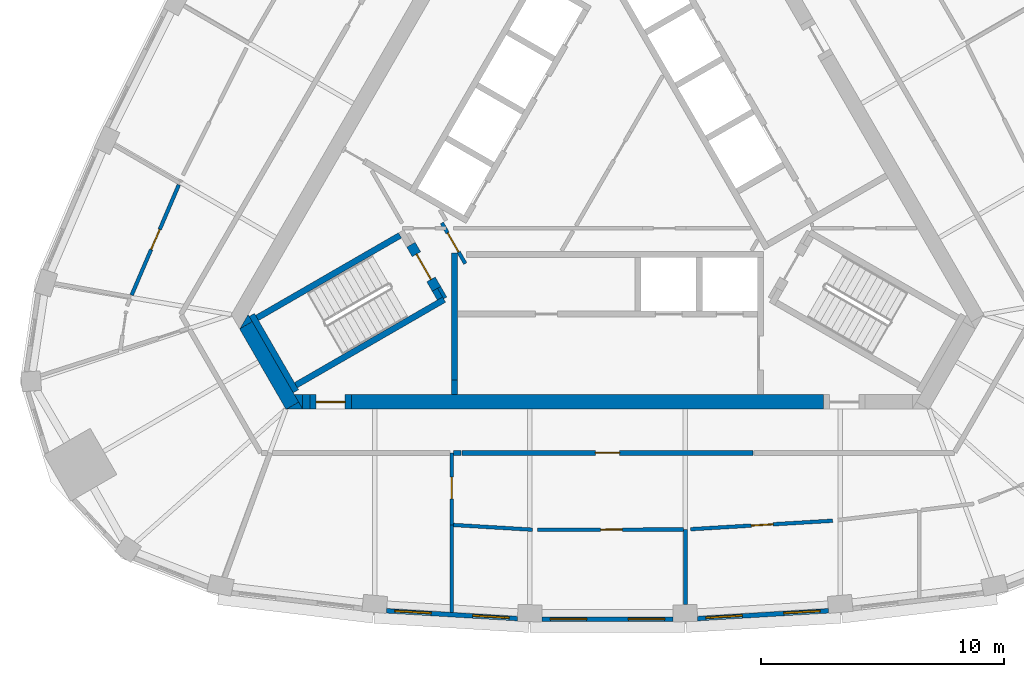
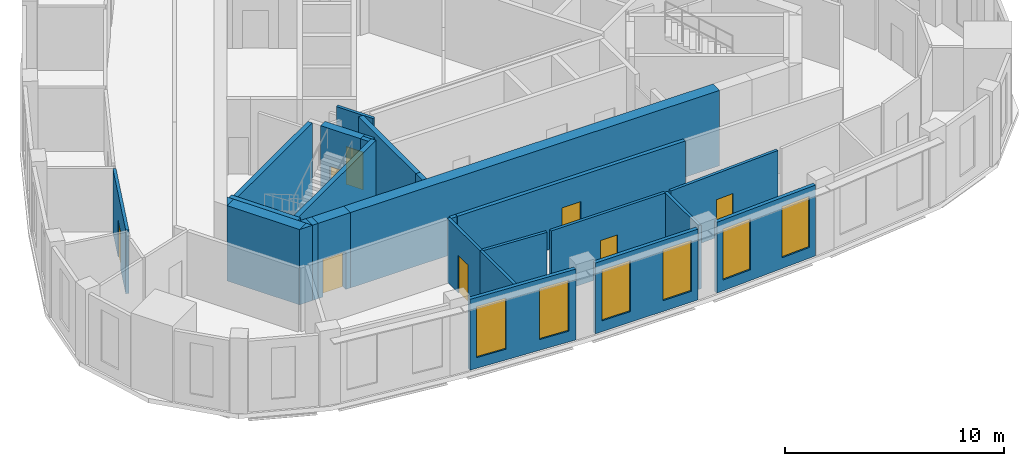
# One storey, part 3 of 10: 28 walls, 8 doors, 6 windows, 14 openings.
"""IFC4 building model written with IfcOpenShell, lengths in metres."""

from ifc_helpers import new_model, si_unit, direction, frame, frame_2d, origin, place, context, subcontext, project, spatial, polyline, rectangle, outline, extrude, material, layer, layer_set, type_object, element, fill, save


model = new_model("IFC4")

# Units and contexts
model_context = context("Model", 3, precision=1e-05, world=origin(), true_north=direction((0.0, 1.0)))
body_context = subcontext(model_context, "Body", "Model", "MODEL_VIEW")
ifc_project = project(units=[si_unit("LENGTHUNIT", "METRE"), si_unit("AREAUNIT", "SQUARE_METRE"), si_unit("VOLUMEUNIT", "CUBIC_METRE"), si_unit("PLANEANGLEUNIT", "RADIAN"), si_unit("MASSUNIT", "GRAM", prefix="KILO")], contexts=[model_context])

# Site, building, storey
site_placement = place(None, origin())
site = spatial("IfcSite", under=ifc_project, at=site_placement, CompositionType="ELEMENT")
building_placement = place(site_placement, origin())
building = spatial("IfcBuilding", under=site, at=building_placement, Name="Mestral Congress Tower", CompositionType="ELEMENT")
storey_placement = place(building_placement, frame((0.0, 0.0, 283.800048828125)))
storey = spatial("IfcBuildingStorey", under=building, at=storey_placement, Name="L66", CompositionType="ELEMENT", Elevation=283.800048828125)

# Walls
ifc_material_1 = material(Name="Concrete C60/75", Category="concrete")
ifc_layer_1 = layer(ifc_material_1, 0.60009765625)
ifc_layer_set_1 = layer_set([ifc_layer_1], Name="Concrete C60/75")
wall_type_1 = type_object("IfcWallType", Name="Core wall RC 600", PredefinedType="SOLIDWALL", material=ifc_layer_set_1)
wall_1_placement = place(storey_placement, frame((-14.898681640625, -6.794677734375, 0.0), z_axis=(0.0, 0.0, 1.0), x_axis=(0.499950938802, -0.866053727428, 0.0)))
element("IfcWall", 1, at=wall_1_placement, inside=storey, type_object=wall_type_1, Name="L66 core wall", PredefinedType="SOLIDWALL", context=body_context, shape_type="SweptSolid", body=[
    extrude(rectangle(XDim=3.8232421875, YDim=0.60009765625, at=frame_2d((1.91162109375, 0.0))), origin(), (0.0, 0.0, 1.0), 4.199951171875),
])
placement = place(storey_placement, origin())
element("IfcWall", 2, at=placement, inside=storey, type_object=wall_type_1, Name="L66 core wall", PredefinedType="SOLIDWALL", context=body_context, shape_type="SweptSolid", body=[
    extrude(outline(polyline([(-14.639892578125, -6.642822265625), (-15.147216796875, -6.935791015625), (-14.80908203125, -6.35009765625), (-14.639892578125, -6.642822265625)])), origin(), (0.0, 0.0, 1.0), 4.199951171875),
])
element("IfcWall", 3, at=placement, inside=storey, type_object=wall_type_1, Name="L66 core wall", PredefinedType="SOLIDWALL", context=body_context, shape_type="SweptSolid", body=[
    extrude(outline(polyline([(-12.557373046875, -10.25), (-13.2333984375, -10.25), (-12.726318359375, -9.957275390625), (-12.557373046875, -10.25)])), origin(), (0.0, 0.0, 1.0), 4.199951171875),
])
wall_4_placement = place(storey_placement, frame((-12.256591796875, -9.949951171875, 0.0), z_axis=(0.0, 0.0, 1.0), x_axis=(-1.0, 0.0, 0.0)))
element("IfcWall", 4, at=wall_4_placement, inside=storey, type_object=wall_type_1, Name="L66 core wall", PredefinedType="SOLIDWALL", context=body_context, shape_type="SweptSolid", body=[
    extrude(rectangle(XDim=0.30712890625, YDim=0.60009765625, at=frame_2d((0.153564453125, 0.0))), origin(), (0.0, 0.0, 1.0), 4.199951171875),
])
element("IfcWall", 5, at=placement, inside=storey, type_object=wall_type_1, Name="L66 core wall", PredefinedType="SOLIDWALL", context=body_context, shape_type="SweptSolid", body=[
    extrude(outline(polyline([(-12.90380859375, -9.64990234375), (-12.56591796875, -9.64990234375), (-12.56591796875, -10.235595703125), (-12.90380859375, -9.64990234375)])), origin(), (0.0, 0.0, 1.0), 4.199951171875),
])
wall_6_placement = place(storey_placement, frame((-10.556396484375, -9.949951171875, 0.0), z_axis=(0.0, 0.0, 1.0), x_axis=(1.0, 0.0, 0.0)))
element("IfcWall", 6, at=wall_6_placement, inside=storey, type_object=wall_type_1, Name="L66 core wall", PredefinedType="SOLIDWALL", context=body_context, shape_type="SweptSolid", body=[
    extrude(rectangle(XDim=19.460693359375, YDim=0.60009765625, at=frame_2d((9.73046875, 0.0))), origin(), (0.0, 0.0, 1.0), 4.199951171875),
])

# Wall, opening, door
wall_7_placement = place(storey_placement, frame((-10.556396484375, -9.949951171875, 0.0), z_axis=(0.0, 0.0, 1.0), x_axis=(-1.0, 0.0, 0.0)))
wall_7 = element("IfcWall", 7, at=wall_7_placement, inside=storey, type_object=wall_type_1, Name="L66 door wall", PredefinedType="SOLIDWALL", context=body_context, shape_type="SweptSolid", body=[
    extrude(rectangle(XDim=1.699951171875, YDim=0.60009765625, at=frame_2d((0.85009765625, 0.0))), origin(), (0.0, 0.0, 1.0), 4.199951171875),
])
opening_1_placement = place(wall_7_placement, frame((0.25, 0.0, 0.0)))
opening_1 = element("IfcOpeningElement", 8, at=opening_1_placement, cuts=wall_7, Name="Opening XD3", PredefinedType="OPENING", context=body_context, shape_type="SweptSolid", body=[
    extrude(rectangle(XDim=1.199951171875, YDim=2.10009765625, at=frame_2d((0.60009765625, 1.050048828125))), frame((0.0, 0.31005859375, 0.0), z_axis=(0.0, -1.0, 0.0), x_axis=(1.0, 0.0, 0.0)), (0.0, 0.0, 1.0), 0.6201171875),
])
ifc_material_2 = material(Name="Fire-rated steel door set", Category="steel")
door_type_1 = type_object("IfcDoorType", Name="Core door XD 1200x2100", OperationType="SINGLE_SWING_LEFT", PredefinedType="DOOR", material=ifc_material_2)
door_1_placement = place(opening_1_placement, origin())
door_1 = element("IfcDoor", 9, at=door_1_placement, inside=storey, type_object=door_type_1, Name="Door XD3", OperationType="SINGLE_SWING_LEFT", OverallHeight=2.10009765625, OverallWidth=1.199951171875, PredefinedType="DOOR", context=body_context, shape_type="SweptSolid", body=[
    extrude(rectangle(XDim=1.199951171875, YDim=2.10009765625, at=frame_2d((0.60009765625, 1.050048828125))), frame((0.0, 0.02490234375, 0.0), z_axis=(0.0, -1.0, 0.0), x_axis=(1.0, 0.0, 0.0)), (0.0, 0.0, 1.0), 0.050048828125),
])
fill(opening_1, door_1)

# Wall, openings, windows
ifc_material_3 = material(Name="Precast concrete C40/50 with limestone facing", Category="masonry")
ifc_layer_2 = layer(ifc_material_3, 0.18994140625)
ifc_layer_set_2 = layer_set([ifc_layer_2], Name="Precast concrete C40/50 with limestone facing")
wall_type_2 = type_object("IfcWallType", Name="Facade stone wall 190", PredefinedType="SOLIDWALL", material=ifc_layer_set_2)
wall_8_placement = place(storey_placement, frame((-9.106689453125, -18.557861328125, 0.0), z_axis=(0.0, 0.0, 1.0), x_axis=(0.998221492823, -0.059614186786, 0.0)))
wall_8 = element("IfcWall", 10, at=wall_8_placement, inside=storey, type_object=wall_type_2, Name="Facade wall F0-01", PredefinedType="SOLIDWALL", context=body_context, shape_type="SweptSolid", body=[
    extrude(rectangle(XDim=5.40576171875, YDim=0.18994140625, at=frame_2d((2.702880859375, 0.0))), origin(), (0.0, 0.0, 1.0), 3.949951171875),
])
opening_2_placement = place(wall_8_placement, frame((0.346435546875, 0.0, 0.60009765625)))
opening_2 = element("IfcOpeningElement", 11, at=opening_2_placement, cuts=wall_8, Name="Opening W6", PredefinedType="OPENING", context=body_context, shape_type="SweptSolid", body=[
    extrude(rectangle(XDim=1.5, YDim=2.85009765625, at=frame_2d((0.75, 1.425048828125))), frame((0.0, 0.10498046875, 0.0), z_axis=(0.0, -1.0, 0.0), x_axis=(1.0, 0.0, 0.0)), (0.0, 0.0, 1.0), 0.2099609375),
])
opening_3_placement = place(wall_8_placement, frame((3.559326171875, 0.0, 0.60009765625)))
opening_3 = element("IfcOpeningElement", 12, at=opening_3_placement, cuts=wall_8, Name="Opening W6", PredefinedType="OPENING", context=body_context, shape_type="SweptSolid", body=[
    extrude(rectangle(XDim=1.5, YDim=2.85009765625, at=frame_2d((0.75, 1.425048828125))), frame((0.0, 0.10498046875, 0.0), z_axis=(0.0, -1.0, 0.0), x_axis=(1.0, 0.0, 0.0)), (0.0, 0.0, 1.0), 0.2099609375),
])
ifc_material_4 = material(Name="Clear low-emissivity double glazing", Category="glass")
window_type = type_object("IfcWindowType", Name="Facade punched window 1500 x 2850 sill 600", PartitioningType="SINGLE_PANEL", PredefinedType="WINDOW", material=ifc_material_4)
window_1_placement = place(opening_2_placement, origin())
window_1 = element("IfcWindow", 13, at=window_1_placement, inside=storey, type_object=window_type, Name="Window F0-01a", OverallHeight=2.85009765625, OverallWidth=1.5, PartitioningType="SINGLE_PANEL", PredefinedType="WINDOW", context=body_context, shape_type="SweptSolid", body=[
    extrude(rectangle(XDim=1.5, YDim=2.85009765625, at=frame_2d((0.75, 1.425048828125))), frame((0.0, 0.044921875, 0.0), z_axis=(0.0, -1.0, 0.0), x_axis=(1.0, 0.0, 0.0)), (0.0, 0.0, 1.0), 0.06005859375),
])
fill(opening_2, window_1)
window_2_placement = place(opening_3_placement, origin())
window_2 = element("IfcWindow", 14, at=window_2_placement, inside=storey, type_object=window_type, Name="Window F0-01b", OverallHeight=2.85009765625, OverallWidth=1.5, PartitioningType="SINGLE_PANEL", PredefinedType="WINDOW", context=body_context, shape_type="SweptSolid", body=[
    extrude(rectangle(XDim=1.5, YDim=2.85009765625, at=frame_2d((0.75, 1.425048828125))), frame((0.0, 0.044921875, 0.0), z_axis=(0.0, -1.0, 0.0), x_axis=(1.0, 0.0, 0.0)), (0.0, 0.0, 1.0), 0.06005859375),
])
fill(opening_3, window_2)

wall_9_placement = place(storey_placement, frame((-2.702880859375, -18.91015625, 0.0), z_axis=(0.0, 0.0, 1.0), x_axis=(1.0, 0.0, 0.0)))
wall_9 = element("IfcWall", 15, at=wall_9_placement, inside=storey, type_object=wall_type_2, Name="Facade wall F0-02", PredefinedType="SOLIDWALL", context=body_context, shape_type="SweptSolid", body=[
    extrude(rectangle(XDim=5.40576171875, YDim=0.18994140625, at=frame_2d((2.702880859375, 0.0))), origin(), (0.0, 0.0, 1.0), 3.949951171875),
])
opening_4_placement = place(wall_9_placement, frame((0.346435546875, 0.0, 0.60009765625)))
opening_4 = element("IfcOpeningElement", 16, at=opening_4_placement, cuts=wall_9, Name="Opening W6", PredefinedType="OPENING", context=body_context, shape_type="SweptSolid", body=[
    extrude(rectangle(XDim=1.5, YDim=2.85009765625, at=frame_2d((0.75, 1.425048828125))), frame((0.0, 0.10498046875, 0.0), z_axis=(0.0, -1.0, 0.0), x_axis=(1.0, 0.0, 0.0)), (0.0, 0.0, 1.0), 0.2099609375),
])
opening_5_placement = place(wall_9_placement, frame((3.5595703125, 0.0, 0.60009765625)))
opening_5 = element("IfcOpeningElement", 17, at=opening_5_placement, cuts=wall_9, Name="Opening W6", PredefinedType="OPENING", context=body_context, shape_type="SweptSolid", body=[
    extrude(rectangle(XDim=1.5, YDim=2.85009765625, at=frame_2d((0.75, 1.425048828125))), frame((0.0, 0.10498046875, 0.0), z_axis=(0.0, -1.0, 0.0), x_axis=(1.0, 0.0, 0.0)), (0.0, 0.0, 1.0), 0.2099609375),
])
window_3_placement = place(opening_4_placement, origin())
window_3 = element("IfcWindow", 18, at=window_3_placement, inside=storey, type_object=window_type, Name="Window F0-02a", OverallHeight=2.85009765625, OverallWidth=1.5, PartitioningType="SINGLE_PANEL", PredefinedType="WINDOW", context=body_context, shape_type="SweptSolid", body=[
    extrude(rectangle(XDim=1.5, YDim=2.85009765625, at=frame_2d((0.75, 1.425048828125))), frame((0.0, 0.044921875, 0.0), z_axis=(0.0, -1.0, 0.0), x_axis=(1.0, 0.0, 0.0)), (0.0, 0.0, 1.0), 0.06005859375),
])
fill(opening_4, window_3)
window_4_placement = place(opening_5_placement, origin())
window_4 = element("IfcWindow", 19, at=window_4_placement, inside=storey, type_object=window_type, Name="Window F0-02b", OverallHeight=2.85009765625, OverallWidth=1.5, PartitioningType="SINGLE_PANEL", PredefinedType="WINDOW", context=body_context, shape_type="SweptSolid", body=[
    extrude(rectangle(XDim=1.5, YDim=2.85009765625, at=frame_2d((0.75, 1.425048828125))), frame((0.0, 0.044921875, 0.0), z_axis=(0.0, -1.0, 0.0), x_axis=(1.0, 0.0, 0.0)), (0.0, 0.0, 1.0), 0.06005859375),
])
fill(opening_5, window_4)

wall_10_placement = place(storey_placement, frame((3.71044921875, -18.880126953125, 0.0), z_axis=(0.0, 0.0, 1.0), x_axis=(0.998221492823, 0.059614186786, 0.0)))
wall_10 = element("IfcWall", 20, at=wall_10_placement, inside=storey, type_object=wall_type_2, Name="Facade wall F0-03", PredefinedType="SOLIDWALL", context=body_context, shape_type="SweptSolid", body=[
    extrude(rectangle(XDim=5.40576171875, YDim=0.18994140625, at=frame_2d((2.702880859375, 0.0))), origin(), (0.0, 0.0, 1.0), 3.949951171875),
])
opening_6_placement = place(wall_10_placement, frame((0.346435546875, 0.0, 0.60009765625)))
opening_6 = element("IfcOpeningElement", 21, at=opening_6_placement, cuts=wall_10, Name="Opening W6", PredefinedType="OPENING", context=body_context, shape_type="SweptSolid", body=[
    extrude(rectangle(XDim=1.5, YDim=2.85009765625, at=frame_2d((0.75, 1.425048828125))), frame((0.0, 0.10498046875, 0.0), z_axis=(0.0, -1.0, 0.0), x_axis=(1.0, 0.0, 0.0)), (0.0, 0.0, 1.0), 0.2099609375),
])
opening_7_placement = place(wall_10_placement, frame((3.559326171875, 0.0, 0.60009765625)))
opening_7 = element("IfcOpeningElement", 22, at=opening_7_placement, cuts=wall_10, Name="Opening W6", PredefinedType="OPENING", context=body_context, shape_type="SweptSolid", body=[
    extrude(rectangle(XDim=1.5, YDim=2.85009765625, at=frame_2d((0.75, 1.425048828125))), frame((0.0, 0.10498046875, 0.0), z_axis=(0.0, -1.0, 0.0), x_axis=(1.0, 0.0, 0.0)), (0.0, 0.0, 1.0), 0.2099609375),
])
window_5_placement = place(opening_6_placement, origin())
window_5 = element("IfcWindow", 23, at=window_5_placement, inside=storey, type_object=window_type, Name="Window F0-03a", OverallHeight=2.85009765625, OverallWidth=1.5, PartitioningType="SINGLE_PANEL", PredefinedType="WINDOW", context=body_context, shape_type="SweptSolid", body=[
    extrude(rectangle(XDim=1.5, YDim=2.85009765625, at=frame_2d((0.75, 1.425048828125))), frame((0.0, 0.044921875, 0.0), z_axis=(0.0, -1.0, 0.0), x_axis=(1.0, 0.0, 0.0)), (0.0, 0.0, 1.0), 0.06005859375),
])
fill(opening_6, window_5)
window_6_placement = place(opening_7_placement, origin())
window_6 = element("IfcWindow", 24, at=window_6_placement, inside=storey, type_object=window_type, Name="Window F0-03b", OverallHeight=2.85009765625, OverallWidth=1.5, PartitioningType="SINGLE_PANEL", PredefinedType="WINDOW", context=body_context, shape_type="SweptSolid", body=[
    extrude(rectangle(XDim=1.5, YDim=2.85009765625, at=frame_2d((0.75, 1.425048828125))), frame((0.0, 0.044921875, 0.0), z_axis=(0.0, -1.0, 0.0), x_axis=(1.0, 0.0, 0.0)), (0.0, 0.0, 1.0), 0.06005859375),
])
fill(opening_7, window_6)

# Wall
ifc_material_5 = material(Name="Plasterboard partition on steel studs", Category="steel")
ifc_layer_3 = layer(ifc_material_5, 0.14990234375)
ifc_layer_set_3 = layer_set([ifc_layer_3], Name="Plasterboard partition on steel studs")
wall_type_3 = type_object("IfcWallType", Name="Office partition 150", PredefinedType="PARTITIONING", material=ifc_layer_set_3)
wall_11_placement = place(storey_placement, frame((-6.420166015625, -15.0126953125, 0.0), z_axis=(0.0, 0.0, 1.0), x_axis=(0.0, -1.0, 0.0)))
element("IfcWall", 25, at=wall_11_placement, inside=storey, type_object=wall_type_3, Name="Partition", PredefinedType="PARTITIONING", context=body_context, shape_type="SweptSolid", body=[
    extrude(rectangle(XDim=3.6103515625, YDim=0.14990234375, at=frame_2d((1.80517578125, 0.0))), origin(), (0.0, 0.0, 1.0), 3.550048828125),
])

# Wall, opening, door
wall_12_placement = place(storey_placement, frame((-6.420166015625, -15.020751953125, 0.0), z_axis=(0.0, 0.0, 1.0), x_axis=(0.0, 1.0, 0.0)))
wall_12 = element("IfcWall", 26, at=wall_12_placement, inside=storey, type_object=wall_type_3, Name="Partition", PredefinedType="PARTITIONING", context=body_context, shape_type="SweptSolid", body=[
    extrude(rectangle(XDim=2.970703125, YDim=0.14990234375, at=frame_2d((1.4853515625, 0.0))), origin(), (0.0, 0.0, 1.0), 3.550048828125),
])
opening_8_placement = place(wall_12_placement, frame((1.07080078125, 0.0, 0.0)))
opening_8 = element("IfcOpeningElement", 27, at=opening_8_placement, cuts=wall_12, Name="Opening O12-001", PredefinedType="OPENING", context=body_context, shape_type="SweptSolid", body=[
    extrude(rectangle(XDim=0.89990234375, YDim=2.10009765625, at=frame_2d((0.449951171875, 1.050048828125))), frame((0.0, 0.0849609375, 0.0), z_axis=(0.0, -1.0, 0.0), x_axis=(1.0, 0.0, 0.0)), (0.0, 0.0, 1.0), 0.169921875),
])
ifc_material_6 = material(Name="Timber door set", Category="wood")
door_type_2 = type_object("IfcDoorType", Name="Office door 900x2100", OperationType="SINGLE_SWING_LEFT", PredefinedType="DOOR", material=ifc_material_6)
door_2_placement = place(opening_8_placement, origin())
door_2 = element("IfcDoor", 28, at=door_2_placement, inside=storey, type_object=door_type_2, Name="Door O12-001", OperationType="SINGLE_SWING_RIGHT", OverallHeight=2.10009765625, OverallWidth=0.89990234375, PredefinedType="DOOR", context=body_context, shape_type="SweptSolid", body=[
    extrude(rectangle(XDim=0.89990234375, YDim=2.10009765625, at=frame_2d((0.449951171875, 1.050048828125))), frame((0.0, 0.02490234375, 0.0), z_axis=(0.0, -1.0, 0.0), x_axis=(1.0, 0.0, 0.0)), (0.0, 0.0, 1.0), 0.050048828125),
])
fill(opening_8, door_2)

# Walls
wall_13_placement = place(storey_placement, frame((3.212890625, -15.208251953125, 0.0), z_axis=(0.0, 0.0, 1.0), x_axis=(0.0, -1.0, 0.0)))
element("IfcWall", 29, at=wall_13_placement, inside=storey, type_object=wall_type_3, Name="Partition", PredefinedType="PARTITIONING", context=body_context, shape_type="SweptSolid", body=[
    extrude(rectangle(XDim=3.096435546875, YDim=0.14990234375, at=frame_2d((1.54833984375, 0.0))), origin(), (0.0, 0.0, 1.0), 3.550048828125),
])
wall_14_placement = place(storey_placement, frame((-6.34521484375, -15.021240234375, 0.0), z_axis=(0.0, 0.0, 1.0), x_axis=(0.998224081041, -0.059570832044, 0.0)))
element("IfcWall", 30, at=wall_14_placement, inside=storey, type_object=wall_type_3, Name="Partition", PredefinedType="PARTITIONING", context=body_context, shape_type="SweptSolid", body=[
    extrude(rectangle(XDim=3.254150390625, YDim=0.14990234375, at=frame_2d((1.626953125, 0.0))), origin(), (0.0, 0.0, 1.0), 3.550048828125),
])

# Wall, opening, door
wall_15_placement = place(storey_placement, frame((3.137939453125, -15.20849609375, 0.0), z_axis=(0.0, 0.0, 1.0), x_axis=(-0.999999400608, -0.001094889855, 0.0)))
wall_15 = element("IfcWall", 31, at=wall_15_placement, inside=storey, type_object=wall_type_3, Name="Partition", PredefinedType="PARTITIONING", context=body_context, shape_type="SweptSolid", body=[
    extrude(rectangle(XDim=6.0205078125, YDim=0.14990234375, at=frame_2d((3.01025390625, 0.0))), origin(), (0.0, 0.0, 1.0), 3.550048828125),
])
opening_9_placement = place(wall_15_placement, frame((2.5205078125, 0.0, 0.0)))
opening_9 = element("IfcOpeningElement", 32, at=opening_9_placement, cuts=wall_15, Name="Opening O12-002", PredefinedType="OPENING", context=body_context, shape_type="SweptSolid", body=[
    extrude(rectangle(XDim=0.89990234375, YDim=2.10009765625, at=frame_2d((0.449951171875, 1.050048828125))), frame((0.0, 0.0849609375, 0.0), z_axis=(0.0, -1.0, 0.0), x_axis=(1.0, 0.0, 0.0)), (0.0, 0.0, 1.0), 0.169921875),
])
door_3_placement = place(opening_9_placement, origin())
door_3 = element("IfcDoor", 33, at=door_3_placement, inside=storey, type_object=door_type_2, Name="Door O12-002", OperationType="SINGLE_SWING_LEFT", OverallHeight=2.10009765625, OverallWidth=0.89990234375, PredefinedType="DOOR", context=body_context, shape_type="SweptSolid", body=[
    extrude(rectangle(XDim=0.89990234375, YDim=2.10009765625, at=frame_2d((0.449951171875, 1.050048828125))), frame((0.0, 0.02490234375, 0.0), z_axis=(0.0, -1.0, 0.0), x_axis=(1.0, 0.0, 0.0)), (0.0, 0.0, 1.0), 0.050048828125),
])
fill(opening_9, door_3)

wall_16_placement = place(storey_placement, frame((9.279541015625, -14.845947265625, 0.0), z_axis=(0.0, 0.0, 1.0), x_axis=(-0.998220544688, -0.059630060904, 0.0)))
wall_16 = element("IfcWall", 34, at=wall_16_placement, inside=storey, type_object=wall_type_3, Name="Partition", PredefinedType="PARTITIONING", context=body_context, shape_type="SweptSolid", body=[
    extrude(rectangle(XDim=5.863037109375, YDim=0.14990234375, at=frame_2d((2.931640625, 0.0))), origin(), (0.0, 0.0, 1.0), 3.550048828125),
])
opening_10_placement = place(wall_16_placement, frame((2.463134765625, 0.0, 0.0)))
opening_10 = element("IfcOpeningElement", 35, at=opening_10_placement, cuts=wall_16, Name="Opening O12-003", PredefinedType="OPENING", context=body_context, shape_type="SweptSolid", body=[
    extrude(rectangle(XDim=0.89990234375, YDim=2.10009765625, at=frame_2d((0.449951171875, 1.050048828125))), frame((0.0, 0.0849609375, 0.0), z_axis=(0.0, -1.0, 0.0), x_axis=(1.0, 0.0, 0.0)), (0.0, 0.0, 1.0), 0.169921875),
])
door_4_placement = place(opening_10_placement, origin())
door_4 = element("IfcDoor", 36, at=door_4_placement, inside=storey, type_object=door_type_2, Name="Door O12-003", OperationType="SINGLE_SWING_LEFT", OverallHeight=2.10009765625, OverallWidth=0.89990234375, PredefinedType="DOOR", context=body_context, shape_type="SweptSolid", body=[
    extrude(rectangle(XDim=0.89990234375, YDim=2.10009765625, at=frame_2d((0.449951171875, 1.050048828125))), frame((0.0, 0.02490234375, 0.0), z_axis=(0.0, -1.0, 0.0), x_axis=(1.0, 0.0, 0.0)), (0.0, 0.0, 1.0), 0.050048828125),
])
fill(opening_10, door_4)

wall_17_placement = place(storey_placement, frame((-19.6083984375, -5.548828125, 0.0), z_axis=(0.0, 0.0, 1.0), x_axis=(0.393352855097, 0.919387584964, 0.0)))
wall_17 = element("IfcWall", 37, at=wall_17_placement, inside=storey, type_object=wall_type_3, Name="Partition", PredefinedType="PARTITIONING", context=body_context, shape_type="SweptSolid", body=[
    extrude(rectangle(XDim=4.9423828125, YDim=0.14990234375, at=frame_2d((2.47119140625, 0.0))), origin(), (0.0, 0.0, 1.0), 3.550048828125),
])
opening_11_placement = place(wall_17_placement, frame((2.042236328125, 0.0, 0.0)))
opening_11 = element("IfcOpeningElement", 38, at=opening_11_placement, cuts=wall_17, Name="Opening O12-016", PredefinedType="OPENING", context=body_context, shape_type="SweptSolid", body=[
    extrude(rectangle(XDim=0.89990234375, YDim=2.10009765625, at=frame_2d((0.449951171875, 1.050048828125))), frame((0.0, 0.0849609375, 0.0), z_axis=(0.0, -1.0, 0.0), x_axis=(1.0, 0.0, 0.0)), (0.0, 0.0, 1.0), 0.169921875),
])
door_5_placement = place(opening_11_placement, origin())
door_5 = element("IfcDoor", 39, at=door_5_placement, inside=storey, type_object=door_type_2, Name="Door O12-016", OperationType="SINGLE_SWING_RIGHT", OverallHeight=2.10009765625, OverallWidth=0.89990234375, PredefinedType="DOOR", context=body_context, shape_type="SweptSolid", body=[
    extrude(rectangle(XDim=0.89990234375, YDim=2.10009765625, at=frame_2d((0.449951171875, 1.050048828125))), frame((0.0, 0.02490234375, 0.0), z_axis=(0.0, -1.0, 0.0), x_axis=(1.0, 0.0, 0.0)), (0.0, 0.0, 1.0), 0.050048828125),
])
fill(opening_11, door_5)

ifc_material_7 = material(Name="Dense masonry wall, plastered", Category="masonry")
ifc_layer_4 = layer(ifc_material_7, 0.199951171875)
ifc_layer_set_4 = layer_set([ifc_layer_4], Name="Dense masonry wall, plastered")
wall_type_4 = type_object("IfcWallType", Name="Office tenancy wall 200", PredefinedType="PARTITIONING", material=ifc_layer_set_4)
wall_18_placement = place(storey_placement, frame((-6.0, -12.050048828125, 0.0), z_axis=(0.0, 0.0, 1.0), x_axis=(1.0, 0.0, 0.0)))
wall_18 = element("IfcWall", 40, at=wall_18_placement, inside=storey, type_object=wall_type_4, Name="Tenancy wall", PredefinedType="PARTITIONING", context=body_context, shape_type="SweptSolid", body=[
    extrude(rectangle(XDim=12.0, YDim=0.199951171875, at=frame_2d((6.0, 0.0))), origin(), (0.0, 0.0, 1.0), 3.550048828125),
])
opening_12_placement = place(wall_18_placement, frame((5.5, 0.0, 0.0)))
opening_12 = element("IfcOpeningElement", 41, at=opening_12_placement, cuts=wall_18, Name="Opening O12-008", PredefinedType="OPENING", context=body_context, shape_type="SweptSolid", body=[
    extrude(rectangle(XDim=1.0, YDim=2.10009765625, at=frame_2d((0.5, 1.050048828125))), frame((0.0, 0.10986328125, 0.0), z_axis=(0.0, -1.0, 0.0), x_axis=(1.0, 0.0, 0.0)), (0.0, 0.0, 1.0), 0.219970703125),
])
ifc_material_8 = material(Name="Fire-rated timber door set", Category="wood")
door_type_3 = type_object("IfcDoorType", Name="Office tenancy entrance door 1000x2100", OperationType="SINGLE_SWING_LEFT", PredefinedType="DOOR", material=ifc_material_8)
door_6_placement = place(opening_12_placement, origin())
door_6 = element("IfcDoor", 42, at=door_6_placement, inside=storey, type_object=door_type_3, Name="Door O12-008", OperationType="SINGLE_SWING_RIGHT", OverallHeight=2.10009765625, OverallWidth=1.0, PredefinedType="DOOR", context=body_context, shape_type="SweptSolid", body=[
    extrude(rectangle(XDim=1.0, YDim=2.10009765625, at=frame_2d((0.5, 1.050048828125))), frame((0.0, 0.02490234375, 0.0), z_axis=(0.0, -1.0, 0.0), x_axis=(1.0, 0.0, 0.0)), (0.0, 0.0, 1.0), 0.050048828125),
])
fill(opening_12, door_6)

# Walls
wall_19_placement = place(storey_placement, frame((-6.34521484375, -12.050048828125, 0.0), z_axis=(0.0, 0.0, 1.0), x_axis=(1.0, 0.0, 0.0)))
element("IfcWall", 43, at=wall_19_placement, inside=storey, type_object=wall_type_4, Name="Tenancy wall", PredefinedType="PARTITIONING", context=body_context, shape_type="SweptSolid", body=[
    extrude(rectangle(XDim=0.315185546875, YDim=0.199951171875, at=frame_2d((0.15771484375, 0.0))), origin(), (0.0, 0.0, 1.0), 3.550048828125),
])
ifc_layer_5 = layer(ifc_material_1, 0.25)
ifc_layer_set_5 = layer_set([ifc_layer_5], Name="Concrete C60/75")
wall_type_5 = type_object("IfcWallType", Name="Shaft wall RC 250", PredefinedType="SOLIDWALL", material=ifc_layer_set_5)
wall_20_placement = place(storey_placement, frame((-6.300048828125, -9.050048828125, 0.0), z_axis=(0.0, 0.0, 1.0), x_axis=(0.0, 1.0, 0.0)))
element("IfcWall", 44, at=wall_20_placement, inside=storey, type_object=wall_type_5, Name="L66 core wall", PredefinedType="SOLIDWALL", context=body_context, shape_type="SweptSolid", body=[
    extrude(rectangle(XDim=5.22998046875, YDim=0.25, at=frame_2d((2.614990234375, 0.0))), origin(), (0.0, 0.0, 1.0), 4.199951171875),
])
wall_21_placement = place(storey_placement, frame((-6.300048828125, -9.052001953125, 0.0), z_axis=(0.0, 0.0, 1.0), x_axis=(0.0, -1.0, 0.0)))
element("IfcWall", 45, at=wall_21_placement, inside=storey, type_object=wall_type_5, Name="L66 core wall", PredefinedType="SOLIDWALL", context=body_context, shape_type="SweptSolid", body=[
    extrude(rectangle(XDim=0.597900390625, YDim=0.25, at=frame_2d((0.298828125, 0.0))), origin(), (0.0, 0.0, 1.0), 4.199951171875),
])
ifc_layer_6 = layer(ifc_material_1, 0.14990234375)
ifc_layer_set_6 = layer_set([ifc_layer_6], Name="Concrete C60/75")
wall_type_6 = type_object("IfcWallType", Name="Shaft wall RC 250 door-wall 150", PredefinedType="SOLIDWALL", material=ifc_layer_set_6)
wall_22_placement = place(storey_placement, frame((-6.940185546875, -5.230224609375, 0.0), z_axis=(0.0, 0.0, 1.0), x_axis=(0.499834152157, -0.86612113491, 0.0)))
element("IfcWall", 46, at=wall_22_placement, inside=storey, type_object=wall_type_6, Name="L66 core wall", PredefinedType="PARTITIONING", context=body_context, shape_type="SweptSolid", body=[
    extrude(rectangle(XDim=0.504638671875, YDim=0.14990234375, at=frame_2d((0.25244140625, 0.0))), origin(), (0.0, 0.0, 1.0), 4.199951171875),
])

# Wall, opening, door
wall_23_placement = place(storey_placement, frame((-5.861083984375, -4.248291015625, 0.0), z_axis=(0.0, 0.0, 1.0), x_axis=(-0.500043646338, 0.866000203093, 0.0)))
wall_23 = element("IfcWall", 47, at=wall_23_placement, inside=storey, type_object=wall_type_6, Name="L66 door wall", PredefinedType="PARTITIONING", context=body_context, shape_type="SweptSolid", body=[
    extrude(rectangle(XDim=1.929931640625, YDim=0.14990234375, at=frame_2d((0.96484375, 0.0))), origin(), (0.0, 0.0, 1.0), 4.199951171875),
])
opening_13_placement = place(wall_23_placement, frame((0.550048828125, 0.0, 0.0)))
opening_13 = element("IfcOpeningElement", 48, at=opening_13_placement, cuts=wall_23, Name="Opening CD3-HUB4", PredefinedType="OPENING", context=body_context, shape_type="SweptSolid", body=[
    extrude(rectangle(XDim=0.89990234375, YDim=2.10009765625, at=frame_2d((0.449951171875, 1.050048828125))), frame((0.0, 0.0849609375, 0.0), z_axis=(0.0, -1.0, 0.0), x_axis=(1.0, 0.0, 0.0)), (0.0, 0.0, 1.0), 0.169921875),
])
door_type_4 = type_object("IfcDoorType", Name="Core door CD 900x2100", OperationType="SINGLE_SWING_LEFT", PredefinedType="DOOR", material=ifc_material_2)
door_7_placement = place(opening_13_placement, origin())
door_7 = element("IfcDoor", 49, at=door_7_placement, inside=storey, type_object=door_type_4, Name="Door CD3-HUB4", OperationType="SINGLE_SWING_LEFT", OverallHeight=2.10009765625, OverallWidth=0.89990234375, PredefinedType="DOOR", context=body_context, shape_type="SweptSolid", body=[
    extrude(rectangle(XDim=0.89990234375, YDim=2.10009765625, at=frame_2d((0.449951171875, 1.050048828125))), frame((0.0, 0.02490234375, 0.0), z_axis=(0.0, -1.0, 0.0), x_axis=(1.0, 0.0, 0.0)), (0.0, 0.0, 1.0), 0.050048828125),
])
fill(opening_13, door_7)

# Walls
ifc_layer_7 = layer(ifc_material_1, 0.25)
ifc_layer_set_7 = layer_set([ifc_layer_7], Name="Concrete C60/75")
wall_type_7 = type_object("IfcWallType", Name="Stair wall RC 250", PredefinedType="SOLIDWALL", material=ifc_layer_set_7)
wall_24_placement = place(storey_placement, frame((-12.839599609375, -9.510986328125, 0.0), z_axis=(0.0, 0.0, 1.0), x_axis=(-0.499997733992, 0.866026712061, 0.0)))
element("IfcWall", 50, at=wall_24_placement, inside=storey, type_object=wall_type_7, Name="L66 core wall", PredefinedType="SOLIDWALL", context=body_context, shape_type="SweptSolid", body=[
    extrude(rectangle(XDim=3.6337890625, YDim=0.25, at=frame_2d((1.81689453125, 0.0))), origin(), (0.0, 0.0, 1.0), 4.199951171875),
])
wall_25_placement = place(storey_placement, frame((-14.43994140625, -6.489501953125, 0.0), z_axis=(0.0, 0.0, 1.0), x_axis=(0.866022966069, 0.500004222222, 0.0)))
element("IfcWall", 51, at=wall_25_placement, inside=storey, type_object=wall_type_7, Name="L66 core wall", PredefinedType="SOLIDWALL", context=body_context, shape_type="SweptSolid", body=[
    extrude(rectangle(XDim=6.80029296875, YDim=0.25, at=frame_2d((3.400146484375, 0.0))), origin(), (0.0, 0.0, 1.0), 4.199951171875),
])
wall_26_placement = place(storey_placement, frame((-12.83984375, -9.2607421875, 0.0), z_axis=(0.0, 0.0, 1.0), x_axis=(0.866016039709, 0.500016218704, 0.0)))
element("IfcWall", 52, at=wall_26_placement, inside=storey, type_object=wall_type_7, Name="L66 core wall", PredefinedType="SOLIDWALL", context=body_context, shape_type="SweptSolid", body=[
    extrude(rectangle(XDim=7.050048828125, YDim=0.25, at=frame_2d((3.52490234375, 0.0))), origin(), (0.0, 0.0, 1.0), 4.199951171875),
])
wall_27_placement = place(storey_placement, frame((-6.905029296875, -5.68994140625, 0.0), z_axis=(0.0, 0.0, 1.0), x_axis=(-0.499993700073, 0.866029041019, 0.0)))
element("IfcWall", 53, at=wall_27_placement, inside=storey, type_object=wall_type_7, Name="L66 core wall", PredefinedType="SOLIDWALL", context=body_context, shape_type="SweptSolid", body=[
    extrude(rectangle(XDim=0.41552734375, YDim=0.25, at=frame_2d((0.207763671875, 0.0))), origin(), (0.0, 0.0, 1.0), 4.199951171875),
])

# Wall, opening, door
ifc_layer_8 = layer(ifc_material_1, 0.39990234375)
ifc_layer_set_8 = layer_set([ifc_layer_8], Name="Concrete C60/75")
wall_type_8 = type_object("IfcWallType", Name="Stair wall RC 250 door-wall 400", PredefinedType="SOLIDWALL", material=ifc_layer_set_8)
wall_28_placement = place(storey_placement, frame((-8.097900390625, -3.473876953125, 0.0), z_axis=(0.0, 0.0, 1.0), x_axis=(0.49994051562, -0.866059744384, 0.0)))
wall_28 = element("IfcWall", 54, at=wall_28_placement, inside=storey, type_object=wall_type_8, Name="L66 door wall", PredefinedType="SOLIDWALL", context=body_context, shape_type="SweptSolid", body=[
    extrude(rectangle(XDim=2.099853515625, YDim=0.39990234375, at=frame_2d((1.0498046875, 0.0))), origin(), (0.0, 0.0, 1.0), 4.199951171875),
])
opening_14_placement = place(wall_28_placement, frame((0.449951171875, 0.0, 0.0)))
opening_14 = element("IfcOpeningElement", 55, at=opening_14_placement, cuts=wall_28, Name="Opening ST-D3", PredefinedType="OPENING", context=body_context, shape_type="SweptSolid", body=[
    extrude(rectangle(XDim=1.199951171875, YDim=2.10009765625, at=frame_2d((0.60009765625, 1.050048828125))), frame((0.0, 0.2099609375, 0.0), z_axis=(0.0, -1.0, 0.0), x_axis=(1.0, 0.0, 0.0)), (0.0, 0.0, 1.0), 0.419921875),
])
door_type_5 = type_object("IfcDoorType", Name="Core door ST 1200x2100", OperationType="SINGLE_SWING_LEFT", PredefinedType="DOOR", material=ifc_material_2)
door_8_placement = place(opening_14_placement, origin())
door_8 = element("IfcDoor", 56, at=door_8_placement, inside=storey, type_object=door_type_5, Name="Door ST-D3", OperationType="SINGLE_SWING_LEFT", OverallHeight=2.10009765625, OverallWidth=1.199951171875, PredefinedType="DOOR", context=body_context, shape_type="SweptSolid", body=[
    extrude(rectangle(XDim=1.199951171875, YDim=2.10009765625, at=frame_2d((0.60009765625, 1.050048828125))), frame((0.0, 0.02490234375, 0.0), z_axis=(0.0, -1.0, 0.0), x_axis=(1.0, 0.0, 0.0)), (0.0, 0.0, 1.0), 0.050048828125),
])
fill(opening_14, door_8)

save(model, "model.ifc")
